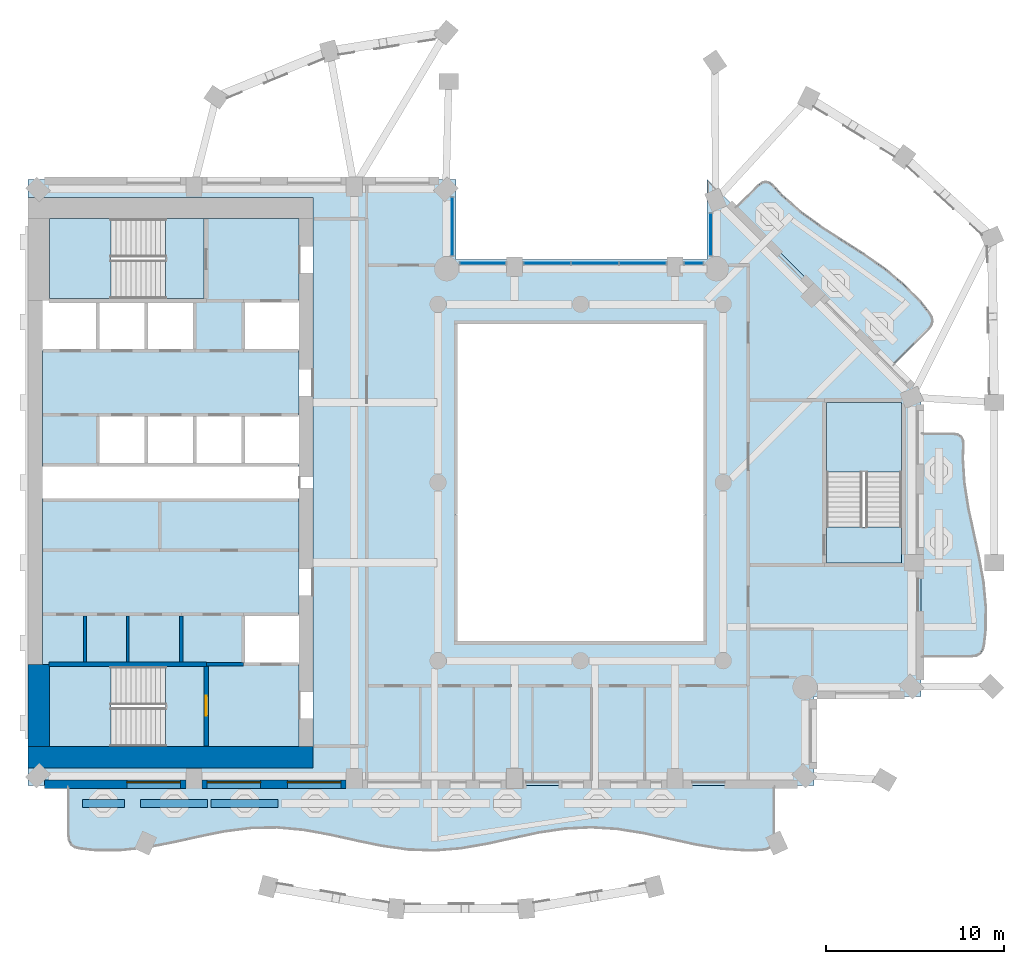
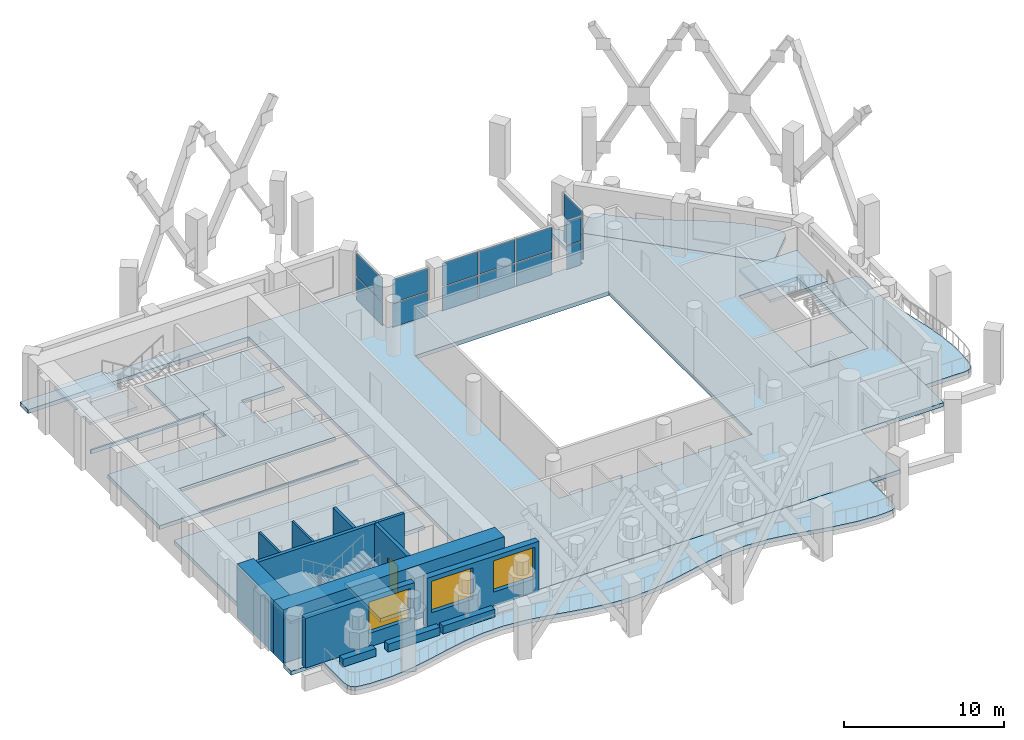
# One storey, part 3 of 16: 14 plates, 13 walls, 12 slabs, 3 windows, 1 door, 4 openings, 8 elements without a shape of their own.
"""IFC4 building model written with IfcOpenShell, lengths in metres."""

import ifcopenshell
import ifcopenshell.guid

model = None  # the IFC model being written
_history = None  # IfcOwnerHistory: only IFC2X3 demands one
_inside = {}  # id of a spatial element -> (the spatial element, [elements in it])
_under = {}  # id of a project, library or spatial element -> (it, [spatial elements below it])
_declared = {}  # id of a project -> (the project, [libraries it declares])
_typed = {}  # id of a type object -> (the type object, [elements of that type])
_made_of = {}  # id of a material, layer set ... -> (it, [elements and type objects made of it])


def new_model(schema):
    """Start an empty IFC model of exactly this schema.

    Asked for "IFC4X3", IfcOpenShell would pick the latest addendum, in which some entities
    have other attributes; the version numbers below select the first issue.
    IFC2X3 requires an IfcOwnerHistory on every rooted entity: one is made here for all.
    """
    global model, _history
    if schema == "IFC4X3":
        model = ifcopenshell.file(schema_version=(4, 3, 0, 0))
    else:
        model = ifcopenshell.file(schema=schema)
    _inside.clear()
    _under.clear()
    _declared.clear()
    _typed.clear()
    _made_of.clear()
    _history = None
    if model.schema == "IFC2X3":
        org = make("IfcOrganization", Name="unknown")
        user = make(
            "IfcPersonAndOrganization",
            ThePerson=make("IfcPerson", FamilyName="unknown"),
            TheOrganization=org,
        )
        app = make(
            "IfcApplication",
            ApplicationDeveloper=org,
            Version="unknown",
            ApplicationFullName="unknown",
            ApplicationIdentifier="unknown",
        )
        _history = make(
            "IfcOwnerHistory",
            OwningUser=user,
            OwningApplication=app,
            ChangeAction="ADDED",
            CreationDate=0,
        )
    return model


def make(cls, **values):
    """One entity of the class cls with the attributes given. An attribute that is None is left unset."""
    return model.create_entity(
        cls, **{name: value for name, value in values.items() if value is not None}
    )


def rooted(cls, **values):
    """An entity with a GlobalId (a new one), such as an element, a storey or a relation."""
    return make(cls, GlobalId=ifcopenshell.guid.new(), OwnerHistory=_history, **values)


def si_unit(unit_type, name, prefix=None):
    """IfcSIUnit, for example si_unit("LENGTHUNIT", "METRE", prefix="MILLI")."""
    return make("IfcSIUnit", UnitType=unit_type, Prefix=prefix, Name=name)


def assignment(units):
    """IfcUnitAssignment: the units of a project."""
    return None if units is None else make("IfcUnitAssignment", Units=units)


def point(xyz):
    """IfcCartesianPoint."""
    return None if xyz is None else make("IfcCartesianPoint", Coordinates=xyz)


def direction(xyz):
    """IfcDirection."""
    return None if xyz is None else make("IfcDirection", DirectionRatios=xyz)


def frame(location, z_axis=None, x_axis=None):
    """IfcAxis2Placement3D, a coordinate frame: its origin and axes. An axis left out is left unset."""
    return make(
        "IfcAxis2Placement3D",
        Location=point(location),
        Axis=direction(z_axis),
        RefDirection=direction(x_axis),
    )


def frame_2d(location, x_axis=None):
    """IfcAxis2Placement2D, a coordinate frame in the plane: its origin and x axis."""
    return make(
        "IfcAxis2Placement2D", Location=point(location), RefDirection=direction(x_axis)
    )


def origin():
    """The frame at (0, 0, 0) with its axes left unset."""
    return frame((0.0, 0.0, 0.0))


def origin_2d():
    """The frame at (0, 0) in the plane with its x axis left unset."""
    return frame_2d((0.0, 0.0))


def place(relative_to, where):
    """IfcLocalPlacement: puts the frame where relative to a parent placement (None: the world)."""
    return make(
        "IfcLocalPlacement", PlacementRelTo=relative_to, RelativePlacement=where
    )


def context(
    kind, dimensions, precision=None, world=None, true_north=None, identifier=None
):
    """IfcGeometricRepresentationContext, for example the 3D "Model" context."""
    return make(
        "IfcGeometricRepresentationContext",
        ContextIdentifier=identifier,
        ContextType=kind,
        CoordinateSpaceDimension=dimensions,
        Precision=precision,
        WorldCoordinateSystem=world,
        TrueNorth=true_north,
    )


def subcontext(parent, identifier, kind, view, scale=None):
    """IfcGeometricRepresentationSubContext, for example "Body" below "Model"."""
    return make(
        "IfcGeometricRepresentationSubContext",
        ContextIdentifier=identifier,
        ContextType=kind,
        ParentContext=parent,
        TargetScale=scale,
        TargetView=view,
    )


def project(units=None, contexts=None):
    """IfcProject with its units and contexts."""
    return rooted(
        "IfcProject",
        Name="project",
        RepresentationContexts=contexts,
        UnitsInContext=assignment(units),
    )


def spatial(cls, under=None, at=None, **own):
    """A site, building, storey or space (cls), placed at a placement, below another one or the project."""
    s = rooted(cls, ObjectPlacement=at, **own)
    if under is not None:
        _under.setdefault(under.id(), (under, []))[1].append(s)
    return s


def polyline(points):
    """IfcPolyline through the points."""
    return make("IfcPolyline", Points=[point(p) for p in points])


def profile(cls, at=None, kind="AREA", **sizes):
    """A parametric profile (cls). Its sizes go by their IFC names, for example OverallWidth=200.0."""
    return make(cls, ProfileType=kind, Position=at, **sizes)


def rectangle(**sizes):
    """IfcRectangleProfileDef."""
    return profile("IfcRectangleProfileDef", **sizes)


def outline(outer, holes=None, kind="AREA"):
    """IfcArbitraryClosedProfileDef: a profile drawn as a closed curve; with holes, ...WithVoids."""
    if holes is None:
        return make("IfcArbitraryClosedProfileDef", ProfileType=kind, OuterCurve=outer)
    return make(
        "IfcArbitraryProfileDefWithVoids",
        ProfileType=kind,
        OuterCurve=outer,
        InnerCurves=holes,
    )


def extrude(swept, where, along, depth):
    """IfcExtrudedAreaSolid: the profile swept, set in the frame where, extruded along a direction by depth."""
    return make(
        "IfcExtrudedAreaSolid",
        SweptArea=swept,
        Position=where,
        ExtrudedDirection=direction(along),
        Depth=depth,
    )


def shape(context_of_items, identifier, shape_type, items):
    """IfcShapeRepresentation: the items that make up one representation, for example the "Body"."""
    return make(
        "IfcShapeRepresentation",
        ContextOfItems=context_of_items,
        RepresentationIdentifier=identifier,
        RepresentationType=shape_type,
        Items=items,
    )


def material(Name=None, Category=None):
    """IfcMaterial."""
    return make("IfcMaterial", Name=Name, Category=Category)


def layer(
    of_material, thickness, ventilated=None, Name=None, Category=None, Priority=None
):
    """IfcMaterialLayer: one layer of a wall or slab, of a material (None: an air gap)."""
    return make(
        "IfcMaterialLayer",
        Material=of_material,
        LayerThickness=thickness,
        IsVentilated=ventilated,
        Name=Name,
        Category=Category,
        Priority=Priority,
    )


def layer_set(layers, Name=None):
    """IfcMaterialLayerSet."""
    return make("IfcMaterialLayerSet", MaterialLayers=layers, LayerSetName=Name)


def made_of(thing, what):
    """Note that an element or type object is made of a material, layer set ...; save() writes the relation."""
    if what is not None:
        _made_of.setdefault(what.id(), (what, []))[1].append(thing)
    return thing


def type_object(cls, material=None, **own):
    """A type object (cls), such as IfcWallType, which elements share."""
    return made_of(rooted(cls, **own), material)


def element(
    cls,
    number,
    at=None,
    inside=None,
    cuts=None,
    type_object=None,
    material=None,
    context=None,
    identifier="Body",
    shape_type=None,
    held_by="IfcProductDefinitionShape",
    body=None,
    shapes=None,
    **own,
):
    """One element of the class cls, such as IfcWall. Its Tag is "e" and its number.

    at: its placement. inside: the storey or other place that contains it. cuts: it is an
    opening in that element (IfcRelVoidsElement). A single representation is given by context,
    identifier, shape_type and body (its items); several are given by shapes. held_by: the class
    of the entity that holds the representations. save() writes the other relations.
    """
    e = rooted(cls, Tag="e%d" % number, ObjectPlacement=at, **own)
    if body is not None:
        shapes = [shape(context, identifier, shape_type, body)]
    if shapes is not None:
        e.Representation = make(held_by, Representations=shapes)
    if inside is not None:
        _inside.setdefault(inside.id(), (inside, []))[1].append(e)
    if cuts is not None:
        rooted(
            "IfcRelVoidsElement", RelatingBuildingElement=cuts, RelatedOpeningElement=e
        )
    if type_object is not None:
        _typed.setdefault(type_object.id(), (type_object, []))[1].append(e)
    return made_of(e, material)


def fill(opening, filler):
    """IfcRelFillsElement: the door or window that sits in an opening."""
    return rooted(
        "IfcRelFillsElement",
        RelatingOpeningElement=opening,
        RelatedBuildingElement=filler,
    )


def aggregate(whole, parts):
    """IfcRelAggregates: a whole, such as a stair, and the parts it consists of."""
    return rooted("IfcRelAggregates", RelatingObject=whole, RelatedObjects=parts)


def save(model, path):
    """Write the relations noted so far, then the file.

    IfcRelAggregates (storeys below a building ...), IfcRelContainedInSpatialStructure (elements
    in a storey), IfcRelDefinesByType, IfcRelAssociatesMaterial and IfcRelDeclares: one each for
    every whole, place, type object, material and project.
    """
    for whole, parts in _under.values():
        aggregate(whole, parts)
    for where, things in _inside.values():
        rooted(
            "IfcRelContainedInSpatialStructure",
            RelatedElements=things,
            RelatingStructure=where,
        )
    for kind, things in _typed.values():
        rooted("IfcRelDefinesByType", RelatedObjects=things, RelatingType=kind)
    for what, things in _made_of.values():
        rooted("IfcRelAssociatesMaterial", RelatedObjects=things, RelatingMaterial=what)
    for by, libraries in _declared.values():
        rooted("IfcRelDeclares", RelatingContext=by, RelatedDefinitions=libraries)
    model.write(path)


model = new_model("IFC4")

# Units and contexts
model_context = context("Model", 3, precision=1e-05, world=origin(), true_north=direction((0.0, 1.0)))
body_context = subcontext(model_context, "Body", "Model", "MODEL_VIEW")
ifc_project = project(units=[si_unit("LENGTHUNIT", "METRE"), si_unit("AREAUNIT", "SQUARE_METRE"), si_unit("VOLUMEUNIT", "CUBIC_METRE"), si_unit("PLANEANGLEUNIT", "RADIAN"), si_unit("MASSUNIT", "GRAM", prefix="KILO")], contexts=[model_context])

# Site, building, storey
site_placement = place(None, origin())
site = spatial("IfcSite", under=ifc_project, at=site_placement, CompositionType="ELEMENT")
building_placement = place(site_placement, origin())
building = spatial("IfcBuilding", under=site, at=building_placement, Name="Cypress Arch Tower", CompositionType="ELEMENT")
storey_placement = place(building_placement, frame((0.0, 0.0, 168.699951171875)))
storey = spatial("IfcBuildingStorey", under=building, at=storey_placement, Name="L36", CompositionType="ELEMENT", Elevation=168.699951171875)

# Slabs
ifc_material_1 = material(Name="Concrete C40/50", Category="concrete")
ifc_layer_1 = layer(ifc_material_1, 0.300048828125)
ifc_layer_set_1 = layer_set([ifc_layer_1], Name="Balcony slab BS300")
slab_type_1 = type_object("IfcSlabType", Name="Balcony slab BS300", PredefinedType="USERDEFINED", material=ifc_layer_set_1)
slab_1_placement = place(storey_placement, frame((0.0, 0.0, -0.300048828125)))
element("IfcSlab", 1, at=slab_1_placement, inside=storey, type_object=slab_type_1, Name="Balcony slab L36-B01", ObjectType="BALCONY SLAB", PredefinedType="USERDEFINED", context=body_context, shape_type="SweptSolid", body=[
    extrude(outline(polyline([(-27.75, -17.0), (-27.75, -19.79248046875), (-27.708740234375, -20.087646484375), (-27.5849609375, -20.309326171875), (-27.378662109375, -20.45703125), (-27.090087890625, -20.531494140625), (-26.283447265625, -20.622802734375), (-24.816650390625, -20.628662109375), (-23.35009765625, -20.472412109375), (-21.88330078125, -20.1943359375), (-20.416748046875, -19.865478515625), (-18.949951171875, -19.570556640625), (-17.4833984375, -19.384765625), (-16.0166015625, -19.356201171875), (-14.550048828125, -19.491943359375), (-13.083251953125, -19.757080078125), (-11.61669921875, -20.083740234375), (-10.14990234375, -20.38818359375), (-8.683349609375, -20.59228515625), (-7.216552734375, -20.643798828125), (-5.75, -20.529296875), (-4.283447265625, -20.278564453125), (-2.816650390625, -19.955322265625), (-1.35009765625, -19.64306640625), (0.11669921875, -19.42138671875), (1.583251953125, -19.34716796875), (3.050048828125, -19.439697265625), (4.5166015625, -19.67529296875), (5.9833984375, -19.9931640625), (7.449951171875, -20.31201171875), (8.916748046875, -20.55029296875), (10.38330078125, -20.646484375), (11.18994140625, -20.607666015625), (11.478759765625, -20.552734375), (11.68505859375, -20.4189453125), (11.808837890625, -20.20654296875), (11.85009765625, -19.915283203125), (11.85009765625, -17.0), (-27.75, -17.0)])), origin(), (0.0, 0.0, 1.0), 0.300048828125),
])
slab_2_placement = place(storey_placement, frame((0.0, 0.0, -0.300048828125)))
element("IfcSlab", 2, at=slab_2_placement, inside=storey, type_object=slab_type_1, Name="Balcony slab L36-B04", ObjectType="BALCONY SLAB", PredefinedType="USERDEFINED", context=body_context, shape_type="SweptSolid", body=[
    extrude(outline(polyline([(20.10009765625, -9.75), (22.927490234375, -9.75), (23.207275390625, -9.7109375), (23.41748046875, -9.59375), (23.55810546875, -9.3984375), (23.629150390625, -9.125), (23.7177734375, -8.361083984375), (23.736083984375, -6.97216796875), (23.60693359375, -5.583251953125), (23.360107421875, -4.1943359375), (23.052978515625, -2.8056640625), (22.755615234375, -1.416748046875), (22.537109375, -0.02783203125), (22.44775390625, 1.361083984375), (22.480712890625, 2.125), (22.45361328125, 2.3984375), (22.3447265625, 2.59375), (22.154296875, 2.7109375), (21.88232421875, 2.75), (20.10009765625, 2.75), (20.10009765625, -9.75)])), origin(), (0.0, 0.0, 1.0), 0.300048828125),
])
slab_3_placement = place(storey_placement, frame((0.0, 0.0, -0.300048828125)))
element("IfcSlab", 3, at=slab_3_placement, inside=storey, type_object=slab_type_1, Name="Balcony slab L36-B05", ObjectType="BALCONY SLAB", PredefinedType="USERDEFINED", context=body_context, shape_type="SweptSolid", body=[
    extrude(outline(polyline([(18.509033203125, 6.591064453125), (20.50927734375, 8.59130859375), (20.67919921875, 8.816162109375), (20.744873046875, 9.047119140625), (20.706298828125, 9.2841796875), (20.5634765625, 9.52734375), (20.087158203125, 10.12890625), (19.12060546875, 11.121826171875), (18.05029296875, 12.010986328125), (16.897216796875, 12.8173828125), (15.70068359375, 13.58056640625), (14.510986328125, 14.350341796875), (13.375732421875, 15.1748046875), (12.3310546875, 16.089599609375), (11.814453125, 16.650634765625), (11.601806640625, 16.823974609375), (11.386962890625, 16.884521484375), (11.169921875, 16.832763671875), (10.950439453125, 16.66845703125), (9.69091796875, 15.408935546875), (18.509033203125, 6.591064453125)])), origin(), (0.0, 0.0, 1.0), 0.300048828125),
])
ifc_material_2 = material(Name="Concrete C40/50", Category="concrete")
ifc_layer_2 = layer(ifc_material_2, 0.300048828125)
ifc_layer_set_2 = layer_set([ifc_layer_2], Name="Core floor CF300")
slab_type_2 = type_object("IfcSlabType", Name="Core floor CF300", PredefinedType="FLOOR", material=ifc_layer_set_2)
slab_4_placement = place(storey_placement, frame((0.0, 0.0, -0.300048828125)))
element("IfcSlab", 4, at=slab_4_placement, inside=storey, type_object=slab_type_2, Name="Core floor", PredefinedType="FLOOR", context=body_context, shape_type="SweptSolid", body=[
    extrude(outline(polyline([(-28.800048828125, -10.199951171875), (-29.199951171875, -10.199951171875), (-29.199951171875, -0.89990234375), (-15.199951171875, -0.89990234375), (-14.800048828125, -0.89990234375), (-14.800048828125, -7.39990234375), (-15.199951171875, -7.39990234375), (-17.919921875, -7.39990234375), (-17.919921875, -10.199951171875), (-15.199951171875, -10.199951171875), (-14.800048828125, -10.199951171875), (-14.800048828125, -14.800048828125), (-15.199951171875, -14.800048828125), (-20.125, -14.800048828125), (-20.125, -10.324951171875), (-22.27490234375, -10.324951171875), (-28.800048828125, -10.324951171875), (-28.800048828125, -10.199951171875)])), origin(), (0.0, 0.0, 1.0), 0.300048828125),
])
slab_5_placement = place(storey_placement, frame((0.0, 0.0, -0.300048828125)))
element("IfcSlab", 5, at=slab_5_placement, inside=storey, type_object=slab_type_2, Name="Core floor", PredefinedType="FLOOR", context=body_context, shape_type="SweptSolid", body=[
    extrude(outline(polyline([(-22.27490234375, -10.324951171875), (-22.27490234375, -14.800048828125), (-20.125, -14.800048828125), (-20.125, -10.324951171875), (-22.27490234375, -10.324951171875)])), origin(), (0.0, 0.0, 1.0), 0.300048828125),
])
slab_6_placement = place(storey_placement, frame((0.0, 0.0, -0.300048828125)))
element("IfcSlab", 6, at=slab_6_placement, inside=storey, type_object=slab_type_2, Name="Core floor", PredefinedType="FLOOR", context=body_context, shape_type="SweptSolid", body=[
    extrude(outline(polyline([(-20.125, 14.800048828125), (-22.27490234375, 14.800048828125), (-22.27490234375, 10.324951171875), (-20.125, 10.324951171875), (-20.125, 14.800048828125)])), origin(), (0.0, 0.0, 1.0), 0.300048828125),
])
slab_7_placement = place(storey_placement, frame((0.0, 0.0, -0.300048828125)))
element("IfcSlab", 7, at=slab_7_placement, inside=storey, type_object=slab_type_2, Name="Stair floor landing", PredefinedType="FLOOR", context=body_context, shape_type="SweptSolid", body=[
    extrude(outline(polyline([(19.0, -4.5), (19.0, -2.5), (14.800048828125, -2.5), (14.800048828125, -4.5), (19.0, -4.5)])), origin(), (0.0, 0.0, 1.0), 0.300048828125),
])
slab_8_placement = place(storey_placement, frame((0.0, 0.0, -0.300048828125)))
element("IfcSlab", 8, at=slab_8_placement, inside=storey, type_object=slab_type_2, Name="Core floor", PredefinedType="FLOOR", context=body_context, shape_type="SweptSolid", body=[
    extrude(outline(polyline([(-20.639892578125, 7.39990234375), (-20.639892578125, 10.199951171875), (-23.360107421875, 10.199951171875), (-26.080078125, 10.199951171875), (-28.800048828125, 10.199951171875), (-28.800048828125, 10.324951171875), (-22.27490234375, 10.324951171875), (-20.125, 10.324951171875), (-20.125, 14.800048828125), (-15.199951171875, 14.800048828125), (-14.800048828125, 14.800048828125), (-14.800048828125, 10.199951171875), (-15.199951171875, 10.199951171875), (-17.919921875, 10.199951171875), (-17.919921875, 7.39990234375), (-15.199951171875, 7.39990234375), (-14.800048828125, 7.39990234375), (-14.800048828125, 3.800048828125), (-15.199951171875, 3.800048828125), (-17.919921875, 3.800048828125), (-20.639892578125, 3.800048828125), (-23.360107421875, 3.800048828125), (-26.080078125, 3.800048828125), (-26.080078125, 1.5), (-26.080078125, 1.5), (-26.080078125, 1.0), (-25.679931640625, 1.0), (-23.360107421875, 1.0), (-20.639892578125, 1.0), (-17.919921875, 1.0), (-15.199951171875, 1.0), (-14.800048828125, 1.0), (-14.800048828125, 0.89990234375), (-15.199951171875, 0.89990234375), (-25.679931640625, 0.89990234375), (-26.47998046875, 0.89990234375), (-29.199951171875, 0.89990234375), (-29.199951171875, 1.5), (-29.199951171875, 7.39990234375), (-26.080078125, 7.39990234375), (-23.360107421875, 7.39990234375), (-20.639892578125, 7.39990234375)])), origin(), (0.0, 0.0, 1.0), 0.300048828125),
])

# Curtain wall, plates
ifc_material_3 = material(Name="Anodised aluminium, bronze finish, clear laminated double glazing", Category="aluminium")
curtain_wall_type = type_object("IfcCurtainWallType", Name="Curtain wall CW7 slot glazing", PredefinedType="NOTDEFINED", material=ifc_material_3)
curtain_wall_1_placement = place(storey_placement, origin())
curtain_wall_1 = element("IfcCurtainWall", 9, at=curtain_wall_1_placement, inside=storey, type_object=curtain_wall_type, Name="Curtain wall L36 slot B06.0", PredefinedType="NOTDEFINED")
ifc_material_4 = material(Name="Clear laminated double glazing", Category="glass")
ifc_layer_3 = layer(ifc_material_4, 0.0439453125)
ifc_layer_set_3 = layer_set([ifc_layer_3], Name="Glass panel CW7 44")
plate_type = type_object("IfcPlateType", Name="Glass panel CW7 44", PredefinedType="CURTAIN_PANEL", material=ifc_layer_set_3)
plate_1_placement = place(storey_placement, frame((8.300048828125, 13.912353515625, 0.0849609375), z_axis=(0.0, 0.0, 1.0), x_axis=(0.0, -1.0, 0.0)))
plate_1 = element("IfcPlate", 10, at=plate_1_placement, type_object=plate_type, Name="CW7 panel 1.1", PredefinedType="CURTAIN_PANEL", context=body_context, shape_type="SweptSolid", body=[
    extrude(rectangle(XDim=2.345458984375, YDim=0.0439453125, at=origin_2d()), origin(), (0.0, 0.0, 1.0), 1.7724609375),
])
plate_2_placement = place(storey_placement, frame((8.300048828125, 13.912353515625, 1.942626953125), z_axis=(0.0, 0.0, 1.0), x_axis=(0.0, -1.0, 0.0)))
plate_2 = element("IfcPlate", 11, at=plate_2_placement, type_object=plate_type, Name="CW7 panel 1.2", PredefinedType="CURTAIN_PANEL", context=body_context, shape_type="SweptSolid", body=[
    extrude(rectangle(XDim=2.345458984375, YDim=0.0439453125, at=origin_2d()), origin(), (0.0, 0.0, 1.0), 1.7724609375),
])
aggregate(curtain_wall_1, [plate_1, plate_2])

curtain_wall_2_placement = place(storey_placement, origin())
curtain_wall_2 = element("IfcCurtainWall", 12, at=curtain_wall_2_placement, inside=storey, type_object=curtain_wall_type, Name="Curtain wall L36 slot B07.0", PredefinedType="NOTDEFINED")
plate_3_placement = place(storey_placement, frame((7.34765625, 12.300048828125, 0.0849609375), z_axis=(0.0, 0.0, 1.0), x_axis=(-1.0, 0.0, 0.0)))
plate_3 = element("IfcPlate", 13, at=plate_3_placement, type_object=plate_type, Name="CW7 panel 1.1", PredefinedType="CURTAIN_PANEL", context=body_context, shape_type="SweptSolid", body=[
    extrude(rectangle(XDim=1.025390625, YDim=0.0439453125, at=origin_2d()), origin(), (0.0, 0.0, 1.0), 1.7724609375),
])
plate_4_placement = place(storey_placement, frame((7.34765625, 12.300048828125, 1.942626953125), z_axis=(0.0, 0.0, 1.0), x_axis=(-1.0, 0.0, 0.0)))
plate_4 = element("IfcPlate", 14, at=plate_4_placement, type_object=plate_type, Name="CW7 panel 1.2", PredefinedType="CURTAIN_PANEL", context=body_context, shape_type="SweptSolid", body=[
    extrude(rectangle(XDim=1.025390625, YDim=0.0439453125, at=origin_2d()), origin(), (0.0, 0.0, 1.0), 1.7724609375),
])
aggregate(curtain_wall_2, [plate_3, plate_4])

curtain_wall_3_placement = place(storey_placement, origin())
curtain_wall_3 = element("IfcCurtainWall", 15, at=curtain_wall_3_placement, inside=storey, type_object=curtain_wall_type, Name="Curtain wall L36 slot B07.1", PredefinedType="NOTDEFINED")
plate_5_placement = place(storey_placement, frame((4.478759765625, 12.300048828125, 0.0849609375), z_axis=(0.0, 0.0, 1.0), x_axis=(-1.0, 0.0, 0.0)))
plate_5 = element("IfcPlate", 16, at=plate_5_placement, type_object=plate_type, Name="CW7 panel 1.1", PredefinedType="CURTAIN_PANEL", context=body_context, shape_type="SweptSolid", body=[
    extrude(rectangle(XDim=2.572509765625, YDim=0.0439453125, at=origin_2d()), origin(), (0.0, 0.0, 1.0), 1.7724609375),
])
plate_6_placement = place(storey_placement, frame((4.478759765625, 12.300048828125, 1.942626953125), z_axis=(0.0, 0.0, 1.0), x_axis=(-1.0, 0.0, 0.0)))
plate_6 = element("IfcPlate", 17, at=plate_6_placement, type_object=plate_type, Name="CW7 panel 1.2", PredefinedType="CURTAIN_PANEL", context=body_context, shape_type="SweptSolid", body=[
    extrude(rectangle(XDim=2.572509765625, YDim=0.0439453125, at=origin_2d()), origin(), (0.0, 0.0, 1.0), 1.7724609375),
])
plate_7_placement = place(storey_placement, frame((1.800048828125, 12.300048828125, 0.0849609375), z_axis=(0.0, 0.0, 1.0), x_axis=(-1.0, 0.0, 0.0)))
plate_7 = element("IfcPlate", 18, at=plate_7_placement, type_object=plate_type, Name="CW7 panel 2.1", PredefinedType="CURTAIN_PANEL", context=body_context, shape_type="SweptSolid", body=[
    extrude(rectangle(XDim=2.614990234375, YDim=0.0439453125, at=origin_2d()), origin(), (0.0, 0.0, 1.0), 1.7724609375),
])
plate_8_placement = place(storey_placement, frame((1.800048828125, 12.300048828125, 1.942626953125), z_axis=(0.0, 0.0, 1.0), x_axis=(-1.0, 0.0, 0.0)))
plate_8 = element("IfcPlate", 19, at=plate_8_placement, type_object=plate_type, Name="CW7 panel 2.2", PredefinedType="CURTAIN_PANEL", context=body_context, shape_type="SweptSolid", body=[
    extrude(rectangle(XDim=2.614990234375, YDim=0.0439453125, at=origin_2d()), origin(), (0.0, 0.0, 1.0), 1.7724609375),
])
plate_9_placement = place(storey_placement, frame((-0.878662109375, 12.300048828125, 0.0849609375), z_axis=(0.0, 0.0, 1.0), x_axis=(-1.0, 0.0, 0.0)))
plate_9 = element("IfcPlate", 20, at=plate_9_placement, type_object=plate_type, Name="CW7 panel 3.1", PredefinedType="CURTAIN_PANEL", context=body_context, shape_type="SweptSolid", body=[
    extrude(rectangle(XDim=2.572509765625, YDim=0.0439453125, at=origin_2d()), origin(), (0.0, 0.0, 1.0), 1.7724609375),
])
plate_10_placement = place(storey_placement, frame((-0.878662109375, 12.300048828125, 1.942626953125), z_axis=(0.0, 0.0, 1.0), x_axis=(-1.0, 0.0, 0.0)))
plate_10 = element("IfcPlate", 21, at=plate_10_placement, type_object=plate_type, Name="CW7 panel 3.2", PredefinedType="CURTAIN_PANEL", context=body_context, shape_type="SweptSolid", body=[
    extrude(rectangle(XDim=2.572509765625, YDim=0.0439453125, at=origin_2d()), origin(), (0.0, 0.0, 1.0), 1.7724609375),
])
aggregate(curtain_wall_3, [plate_5, plate_6, plate_7, plate_8, plate_9, plate_10])

curtain_wall_4_placement = place(storey_placement, origin())
curtain_wall_4 = element("IfcCurtainWall", 22, at=curtain_wall_4_placement, inside=storey, type_object=curtain_wall_type, Name="Curtain wall L36 slot B07.2", PredefinedType="NOTDEFINED")
plate_11_placement = place(storey_placement, frame((-4.497802734375, 12.300048828125, 0.0849609375), z_axis=(0.0, 0.0, 1.0), x_axis=(-1.0, 0.0, 0.0)))
plate_11 = element("IfcPlate", 23, at=plate_11_placement, type_object=plate_type, Name="CW7 panel 1.1", PredefinedType="CURTAIN_PANEL", context=body_context, shape_type="SweptSolid", body=[
    extrude(rectangle(XDim=2.525390625, YDim=0.0439453125, at=origin_2d()), origin(), (0.0, 0.0, 1.0), 1.7724609375),
])
plate_12_placement = place(storey_placement, frame((-4.497802734375, 12.300048828125, 1.942626953125), z_axis=(0.0, 0.0, 1.0), x_axis=(-1.0, 0.0, 0.0)))
plate_12 = element("IfcPlate", 24, at=plate_12_placement, type_object=plate_type, Name="CW7 panel 1.2", PredefinedType="CURTAIN_PANEL", context=body_context, shape_type="SweptSolid", body=[
    extrude(rectangle(XDim=2.525390625, YDim=0.0439453125, at=origin_2d()), origin(), (0.0, 0.0, 1.0), 1.7724609375),
])
aggregate(curtain_wall_4, [plate_11, plate_12])

curtain_wall_5_placement = place(storey_placement, origin())
curtain_wall_5 = element("IfcCurtainWall", 25, at=curtain_wall_5_placement, inside=storey, type_object=curtain_wall_type, Name="Curtain wall L36 slot B08.0", PredefinedType="NOTDEFINED")
plate_13_placement = place(storey_placement, frame((-6.199951171875, 14.359130859375, 0.0849609375), z_axis=(0.0, 0.0, 1.0), x_axis=(0.0, 1.0, 0.0)))
plate_13 = element("IfcPlate", 26, at=plate_13_placement, type_object=plate_type, Name="CW7 panel 1.1", PredefinedType="CURTAIN_PANEL", context=body_context, shape_type="SweptSolid", body=[
    extrude(rectangle(XDim=3.239013671875, YDim=0.0439453125, at=origin_2d()), origin(), (0.0, 0.0, 1.0), 1.7724609375),
])
plate_14_placement = place(storey_placement, frame((-6.199951171875, 14.359130859375, 1.942626953125), z_axis=(0.0, 0.0, 1.0), x_axis=(0.0, 1.0, 0.0)))
plate_14 = element("IfcPlate", 27, at=plate_14_placement, type_object=plate_type, Name="CW7 panel 1.2", PredefinedType="CURTAIN_PANEL", context=body_context, shape_type="SweptSolid", body=[
    extrude(rectangle(XDim=3.239013671875, YDim=0.0439453125, at=origin_2d()), origin(), (0.0, 0.0, 1.0), 1.7724609375),
])
aggregate(curtain_wall_5, [plate_13, plate_14])

# Slab
ifc_material_5 = material(Name="Concrete C40/50", Category="concrete")
ifc_layer_4 = layer(ifc_material_5, 0.300048828125)
ifc_layer_set_4 = layer_set([ifc_layer_4], Name="PT flat slab 300 Concrete C40/50")
slab_type_3 = type_object("IfcSlabType", Name="PT flat slab 300 Concrete C40/50", PredefinedType="FLOOR", material=ifc_layer_set_4)
slab_9_placement = place(storey_placement, frame((0.0, 0.0, -0.300048828125)))
element("IfcSlab", 28, at=slab_9_placement, inside=storey, type_object=slab_type_3, Name="Floor slab L36", PredefinedType="FLOOR", context=body_context, shape_type="SweptSolid", body=[
    extrude(outline(polyline([(-30.0, 17.0), (-6.0, 17.0), (-6.0, 12.5), (8.10009765625, 12.5), (8.10009765625, 17.0), (20.10009765625, 5.0), (20.10009765625, -12.0), (14.10009765625, -12.0), (14.10009765625, -17.0), (-30.0, -17.0), (-30.0, -16.0), (-14.0, -16.0), (-14.0, 16.0), (-30.0, 16.0), (-30.0, 17.0)]), holes=[polyline([(-6.0, -9.0), (8.0, -9.0), (8.0, 9.0), (-6.0, 9.0), (-6.0, -9.0)]), polyline([(14.800048828125, -4.5), (19.0, -4.5), (19.0, 4.5), (14.800048828125, 4.5), (14.800048828125, -4.5)])]), origin(), (0.0, 0.0, 1.0), 0.300048828125),
])

# Stair, slab
ifc_material_6 = material(Name="Concrete C40/50", Category="concrete")
stair_type_1 = type_object("IfcStairType", Name="Exit stair ES1708-215", PredefinedType="HALF_TURN_STAIR", material=ifc_material_6)
stair_1_placement = place(storey_placement, origin())
stair_1 = element("IfcStair", 29, at=stair_1_placement, inside=storey, type_object=stair_type_1, Name="L36 Exit stair A", PredefinedType="HALF_TURN_STAIR")
ifc_material_7 = material(Name="Concrete C40/50", Category="concrete")
ifc_layer_5 = layer(ifc_material_7, 0.199951171875)
ifc_layer_set_5 = layer_set([ifc_layer_5], Name="Stair landing SL200")
slab_type_4 = type_object("IfcSlabType", Name="Stair landing SL200", PredefinedType="LANDING", material=ifc_layer_set_5)
slab_10_placement = place(storey_placement, frame((0.0, 0.0, 1.85009765625)))
slab_10 = element("IfcSlab", 30, at=slab_10_placement, type_object=slab_type_4, Name="A landing 1", PredefinedType="LANDING", context=body_context, shape_type="SweptSolid", body=[
    extrude(outline(polyline([(-25.35498046875, -10.324951171875), (-28.800048828125, -10.324951171875), (-28.800048828125, -14.800048828125), (-25.35498046875, -14.800048828125), (-25.35498046875, -10.324951171875)])), origin(), (0.0, 0.0, 1.0), 0.199951171875),
])
aggregate(stair_1, [slab_10])

stair_2_placement = place(storey_placement, origin())
stair_2 = element("IfcStair", 31, at=stair_2_placement, inside=storey, type_object=stair_type_1, Name="L36 Exit stair B", PredefinedType="HALF_TURN_STAIR")
slab_11_placement = place(storey_placement, frame((0.0, 0.0, 1.85009765625)))
slab_11 = element("IfcSlab", 32, at=slab_11_placement, type_object=slab_type_4, Name="B landing 1", PredefinedType="LANDING", context=body_context, shape_type="SweptSolid", body=[
    extrude(outline(polyline([(-25.35498046875, 14.800048828125), (-28.800048828125, 14.800048828125), (-28.800048828125, 10.324951171875), (-25.35498046875, 10.324951171875), (-25.35498046875, 14.800048828125)])), origin(), (0.0, 0.0, 1.0), 0.199951171875),
])
aggregate(stair_2, [slab_11])

ifc_material_8 = material(Name="Concrete C40/50", Category="concrete")
stair_type_2 = type_object("IfcStairType", Name="Exit stair ES1708-200", PredefinedType="HALF_TURN_STAIR", material=ifc_material_8)
stair_3_placement = place(storey_placement, origin())
stair_3 = element("IfcStair", 33, at=stair_3_placement, inside=storey, type_object=stair_type_2, Name="L36 Exit stair C", PredefinedType="HALF_TURN_STAIR")
slab_12_placement = place(storey_placement, frame((0.0, 0.0, 1.85009765625)))
slab_12 = element("IfcSlab", 34, at=slab_12_placement, type_object=slab_type_4, Name="C landing 1", PredefinedType="LANDING", context=body_context, shape_type="SweptSolid", body=[
    extrude(outline(polyline([(19.0, 0.580078125), (19.0, 4.5), (14.800048828125, 4.5), (14.800048828125, 0.580078125), (19.0, 0.580078125)])), origin(), (0.0, 0.0, 1.0), 0.199951171875),
])
aggregate(stair_3, [slab_12])

# Walls
ifc_material_9 = material(Name="Concrete C40/50, waterproofed", Category="concrete")
ifc_layer_6 = layer(ifc_material_9, 0.449951171875)
ifc_layer_set_6 = layer_set([ifc_layer_6], Name="Balcony planter wall PW450")
wall_type_1 = type_object("IfcWallType", Name="Balcony planter wall PW450", PredefinedType="SOLIDWALL", material=ifc_layer_set_6)
wall_1_placement = place(storey_placement, frame((-26.949951171875, -18.0, 0.0), z_axis=(0.0, 0.0, 1.0), x_axis=(1.0, 0.0, 0.0)))
element("IfcWall", 35, at=wall_1_placement, inside=storey, type_object=wall_type_1, Name="Balcony planter wall L36-B01.1", PredefinedType="SOLIDWALL", context=body_context, shape_type="SweptSolid", body=[
    extrude(rectangle(XDim=2.35986328125, YDim=0.449951171875, at=frame_2d((1.179931640625, 0.0))), origin(), (0.0, 0.0, 1.0), 0.60009765625),
])
for number, where, z_axis, x_axis, name in (
    (36, (-23.68994140625, -18.0, 0.0), (0.0, 0.0, 1.0), (1.0, 0.0, 0.0), "Balcony planter wall L36-B01.2"),
    (37, (-19.72998046875, -18.0, 0.0), (0.0, 0.0, 1.0), (1.0, 0.0, 0.0), "Balcony planter wall L36-B01.3"),
):
    element("IfcWall", number, at=place(storey_placement, frame(where, z_axis=z_axis, x_axis=x_axis)), inside=storey, type_object=wall_type_1, Name=name, PredefinedType="SOLIDWALL", context=body_context, shape_type="SweptSolid", body=[
        extrude(rectangle(XDim=3.760009765625, YDim=0.449951171875, at=frame_2d((1.8798828125, 0.0))), origin(), (0.0, 0.0, 1.0), 0.60009765625),
    ])

# Wall, opening, window
ifc_material_10 = material(Name="Brick (red buff blend)", Category="masonry")
ifc_layer_7 = layer(ifc_material_10, 0.449951171875)
ifc_layer_set_7 = layer_set([ifc_layer_7], Name="Brick pier and spandrel wall BW450")
wall_type_2 = type_object("IfcWallType", Name="Brick pier and spandrel wall BW450", PredefinedType="SOLIDWALL", material=ifc_layer_set_7)
wall_2_placement = place(storey_placement, frame((-29.063720703125, -16.925048828125, 0.0), z_axis=(0.0, 0.0, 1.0), x_axis=(1.0, 0.0, 0.0)))
wall_2 = element("IfcWall", 38, at=wall_2_placement, inside=storey, type_object=wall_type_2, Name="Brick wall L36 B01.0", PredefinedType="SOLIDWALL", context=body_context, shape_type="SweptSolid", body=[
    extrude(rectangle(XDim=7.913818359375, YDim=0.449951171875, at=frame_2d((3.95703125, 0.0))), origin(), (0.0, 0.0, 1.0), 3.800048828125),
])
opening_1_placement = place(wall_2_placement, frame((4.613525390625, 0.0, 1.050048828125)))
opening_1 = element("IfcOpeningElement", 39, at=opening_1_placement, cuts=wall_2, Name="Opening W300OD", PredefinedType="OPENING", context=body_context, shape_type="SweptSolid", body=[
    extrude(rectangle(XDim=3.0, YDim=2.39990234375, at=frame_2d((1.5, 1.199951171875))), frame((0.0, 0.23486328125, 0.0), z_axis=(0.0, -1.0, 0.0), x_axis=(1.0, 0.0, 0.0)), (0.0, 0.0, 1.0), 0.469970703125),
])
ifc_material_11 = material(Name="Anodised aluminium, bronze finish, laminated low-emissivity double glazing, large-missile impact rated", Category="aluminium")
window_type = type_object("IfcWindowType", Name="Window Office 3000x2400 debris-rated", PartitioningType="SINGLE_PANEL", PredefinedType="WINDOW", material=ifc_material_11)
window_1_placement = place(opening_1_placement, origin())
window_1 = element("IfcWindow", 40, at=window_1_placement, inside=storey, type_object=window_type, Name="Window L36 B01.0.2", OverallHeight=2.39990234375, OverallWidth=3.0, PartitioningType="SINGLE_PANEL", PredefinedType="WINDOW", context=body_context, shape_type="SweptSolid", body=[
    extrude(rectangle(XDim=3.0, YDim=2.39990234375, at=frame_2d((1.5, 1.199951171875))), frame((0.0, 0.135009765625, 0.0), z_axis=(0.0, -1.0, 0.0), x_axis=(1.0, 0.0, 0.0)), (0.0, 0.0, 1.0), 0.06005859375),
])
fill(opening_1, window_1)

# Wall, openings, windows
wall_3_placement = place(storey_placement, frame((-20.25, -16.925048828125, 0.0), z_axis=(0.0, 0.0, 1.0), x_axis=(1.0, 0.0, 0.0)))
wall_3 = element("IfcWall", 41, at=wall_3_placement, inside=storey, type_object=wall_type_2, Name="Brick wall L36 B01.1", PredefinedType="SOLIDWALL", context=body_context, shape_type="SweptSolid", body=[
    extrude(rectangle(XDim=8.10009765625, YDim=0.449951171875, at=frame_2d((4.050048828125, 0.0))), origin(), (0.0, 0.0, 1.0), 3.800048828125),
])
opening_2_placement = place(wall_3_placement, frame((0.300048828125, 0.0, 1.050048828125)))
opening_2 = element("IfcOpeningElement", 42, at=opening_2_placement, cuts=wall_3, Name="Opening W300OD", PredefinedType="OPENING", context=body_context, shape_type="SweptSolid", body=[
    extrude(rectangle(XDim=3.0, YDim=2.39990234375, at=frame_2d((1.5, 1.199951171875))), frame((0.0, 0.23486328125, 0.0), z_axis=(0.0, -1.0, 0.0), x_axis=(1.0, 0.0, 0.0)), (0.0, 0.0, 1.0), 0.469970703125),
])
opening_3_placement = place(wall_3_placement, frame((4.800048828125, 0.0, 1.050048828125)))
opening_3 = element("IfcOpeningElement", 43, at=opening_3_placement, cuts=wall_3, Name="Opening W300OD", PredefinedType="OPENING", context=body_context, shape_type="SweptSolid", body=[
    extrude(rectangle(XDim=3.0, YDim=2.39990234375, at=frame_2d((1.5, 1.199951171875))), frame((0.0, 0.23486328125, 0.0), z_axis=(0.0, -1.0, 0.0), x_axis=(1.0, 0.0, 0.0)), (0.0, 0.0, 1.0), 0.469970703125),
])
window_2_placement = place(opening_2_placement, origin())
window_2 = element("IfcWindow", 44, at=window_2_placement, inside=storey, type_object=window_type, Name="Window L36 B01.1.1", OverallHeight=2.39990234375, OverallWidth=3.0, PartitioningType="SINGLE_PANEL", PredefinedType="WINDOW", context=body_context, shape_type="SweptSolid", body=[
    extrude(rectangle(XDim=3.0, YDim=2.39990234375, at=frame_2d((1.5, 1.199951171875))), frame((0.0, 0.135009765625, 0.0), z_axis=(0.0, -1.0, 0.0), x_axis=(1.0, 0.0, 0.0)), (0.0, 0.0, 1.0), 0.06005859375),
])
fill(opening_2, window_2)
window_3_placement = place(opening_3_placement, origin())
window_3 = element("IfcWindow", 45, at=window_3_placement, inside=storey, type_object=window_type, Name="Window L36 B01.1.2", OverallHeight=2.39990234375, OverallWidth=3.0, PartitioningType="SINGLE_PANEL", PredefinedType="WINDOW", context=body_context, shape_type="SweptSolid", body=[
    extrude(rectangle(XDim=3.0, YDim=2.39990234375, at=frame_2d((1.5, 1.199951171875))), frame((0.0, 0.135009765625, 0.0), z_axis=(0.0, -1.0, 0.0), x_axis=(1.0, 0.0, 0.0)), (0.0, 0.0, 1.0), 0.06005859375),
])
fill(opening_3, window_3)

# Walls
ifc_material_12 = material(Name="Concrete C70/85", Category="concrete")
ifc_layer_8 = layer(ifc_material_12, 1.199951171875)
ifc_layer_set_8 = layer_set([ifc_layer_8], Name="Core wall CW1200 C70/85")
wall_type_3 = type_object("IfcWallType", Name="Core wall CW1200 C70/85", PredefinedType="SHEAR", material=ifc_layer_set_8)
wall_4_placement = place(storey_placement, frame((-30.0, -15.39990234375, 0.0), z_axis=(0.0, 0.0, 1.0), x_axis=(1.0, 0.0, 0.0)))
element("IfcWall", 46, at=wall_4_placement, inside=storey, type_object=wall_type_3, Name="Core wall", PredefinedType="SHEAR", context=body_context, shape_type="SweptSolid", body=[
    extrude(rectangle(XDim=16.0, YDim=1.199951171875, at=frame_2d((8.0, 0.0))), origin(), (0.0, 0.0, 1.0), 4.10009765625),
])
wall_5_placement = place(storey_placement, frame((-29.39990234375, -14.800048828125, 0.0), z_axis=(0.0, 0.0, 1.0), x_axis=(0.0, 1.0, 0.0)))
element("IfcWall", 47, at=wall_5_placement, inside=storey, type_object=wall_type_3, Name="Core wall", PredefinedType="SHEAR", context=body_context, shape_type="SweptSolid", body=[
    extrude(rectangle(XDim=4.60009765625, YDim=1.199951171875, at=frame_2d((2.300048828125, 0.0))), origin(), (0.0, 0.0, 1.0), 4.10009765625),
])
ifc_material_13 = material(Name="Blockwork, plastered both sides", Category="masonry")
ifc_layer_9 = layer(ifc_material_13, 0.14990234375)
ifc_layer_set_9 = layer_set([ifc_layer_9], Name="Partition PW150")
wall_type_4 = type_object("IfcWallType", Name="Partition PW150", PredefinedType="PARTITIONING", material=ifc_layer_set_9)
for number, where, z_axis, x_axis, name in (
    (48, (-26.800048828125, -10.074951171875, 0.0), (0.0, 0.0, 1.0), (0.0, 1.0, 0.0), "Partition"),
    (49, (-24.39990234375, -10.074951171875, 0.0), (0.0, 0.0, 1.0), (0.0, 1.0, 0.0), "Partition"),
):
    element("IfcWall", number, at=place(storey_placement, frame(where, z_axis=z_axis, x_axis=x_axis)), inside=storey, type_object=wall_type_4, Name=name, PredefinedType="PARTITIONING", context=body_context, shape_type="SweptSolid", body=[
        extrude(rectangle(XDim=2.574951171875, YDim=0.14990234375, at=frame_2d((1.28759765625, 0.0))), origin(), (0.0, 0.0, 1.0), 3.800048828125),
    ])
ifc_material_14 = material(Name="Reinforced blockwork, plastered, rated", Category="masonry")
ifc_layer_10 = layer(ifc_material_14, 0.199951171875)
ifc_layer_set_10 = layer_set([ifc_layer_10], Name="Plant and riser wall PL200")
wall_type_5 = type_object("IfcWallType", Name="Plant and riser wall PL200", PredefinedType="PARTITIONING", material=ifc_layer_set_10)
wall_6_placement = place(storey_placement, frame((-21.39990234375, -10.074951171875, 0.0), z_axis=(0.0, 0.0, 1.0), x_axis=(0.0, 1.0, 0.0)))
element("IfcWall", 50, at=wall_6_placement, inside=storey, type_object=wall_type_5, Name="Plant and riser wall", PredefinedType="PARTITIONING", context=body_context, shape_type="SweptSolid", body=[
    extrude(rectangle(XDim=2.574951171875, YDim=0.199951171875, at=frame_2d((1.28759765625, 0.0))), origin(), (0.0, 0.0, 1.0), 3.800048828125),
])
wall_7_placement = place(storey_placement, frame((-20.0, -10.199951171875, 0.0), z_axis=(0.0, 0.0, 1.0), x_axis=(1.0, 0.0, 0.0)))
element("IfcWall", 51, at=wall_7_placement, inside=storey, type_object=wall_type_5, Name="Plant and riser wall", PredefinedType="PARTITIONING", context=body_context, shape_type="SweptSolid", body=[
    extrude(rectangle(XDim=2.080078125, YDim=0.199951171875, at=frame_2d((1.0400390625, 0.0))), origin(), (0.0, 0.0, 1.0), 3.800048828125),
])
ifc_material_15 = material(Name="Concrete C50/60", Category="concrete")
ifc_layer_11 = layer(ifc_material_15, 0.25)
ifc_layer_set_11 = layer_set([ifc_layer_11], Name="Stair enclosure wall SW250")
wall_type_6 = type_object("IfcWallType", Name="Stair enclosure wall SW250", PredefinedType="SHEAR", material=ifc_layer_set_11)
wall_8_placement = place(storey_placement, frame((-28.81005859375, -10.199951171875, 0.0), z_axis=(0.0, 0.0, 1.0), x_axis=(1.0, 0.0, 0.0)))
element("IfcWall", 52, at=wall_8_placement, inside=storey, type_object=wall_type_6, Name="Stair enclosure wall", PredefinedType="SHEAR", context=body_context, shape_type="SweptSolid", body=[
    extrude(rectangle(XDim=8.81005859375, YDim=0.25, at=frame_2d((4.405029296875, 0.0))), origin(), (0.0, 0.0, 1.0), 3.800048828125),
])

# Wall, opening, door
wall_9_placement = place(storey_placement, frame((-20.0, -14.77001953125, 0.0), z_axis=(0.0, 0.0, 1.0), x_axis=(0.0, 1.0, 0.0)))
wall_9 = element("IfcWall", 53, at=wall_9_placement, inside=storey, type_object=wall_type_6, Name="Stair enclosure wall", PredefinedType="SHEAR", context=body_context, shape_type="SweptSolid", body=[
    extrude(rectangle(XDim=4.445068359375, YDim=0.25, at=frame_2d((2.22265625, 0.0))), origin(), (0.0, 0.0, 1.0), 3.800048828125),
])
opening_4_placement = place(wall_9_placement, frame((1.699951171875, 0.0, 0.0)))
opening_4 = element("IfcOpeningElement", 54, at=opening_4_placement, cuts=wall_9, Name="Opening D06", PredefinedType="OPENING", context=body_context, shape_type="SweptSolid", body=[
    extrude(rectangle(XDim=1.10009765625, YDim=2.199951171875, at=frame_2d((0.550048828125, 1.10009765625))), frame((0.0, 0.135009765625, 0.0), z_axis=(0.0, -1.0, 0.0), x_axis=(1.0, 0.0, 0.0)), (0.0, 0.0, 1.0), 0.27001953125),
])
ifc_material_16 = material(Name="Steel door, fire resisting, panic bar", Category="steel")
door_type = type_object("IfcDoorType", Name="Stair door D06 1100x2200", OperationType="SINGLE_SWING_LEFT", PredefinedType="DOOR", material=ifc_material_16)
door_placement = place(opening_4_placement, origin())
door = element("IfcDoor", 55, at=door_placement, inside=storey, type_object=door_type, Name="Stair door", OperationType="SINGLE_SWING_RIGHT", OverallHeight=2.199951171875, OverallWidth=1.10009765625, PredefinedType="DOOR", context=body_context, shape_type="SweptSolid", body=[
    extrude(rectangle(XDim=1.10009765625, YDim=2.199951171875, at=frame_2d((0.550048828125, 1.10009765625))), frame((0.0, 0.02490234375, 0.0), z_axis=(0.0, -1.0, 0.0), x_axis=(1.0, 0.0, 0.0)), (0.0, 0.0, 1.0), 0.050048828125),
])
fill(opening_4, door)

save(model, "model.ifc")
